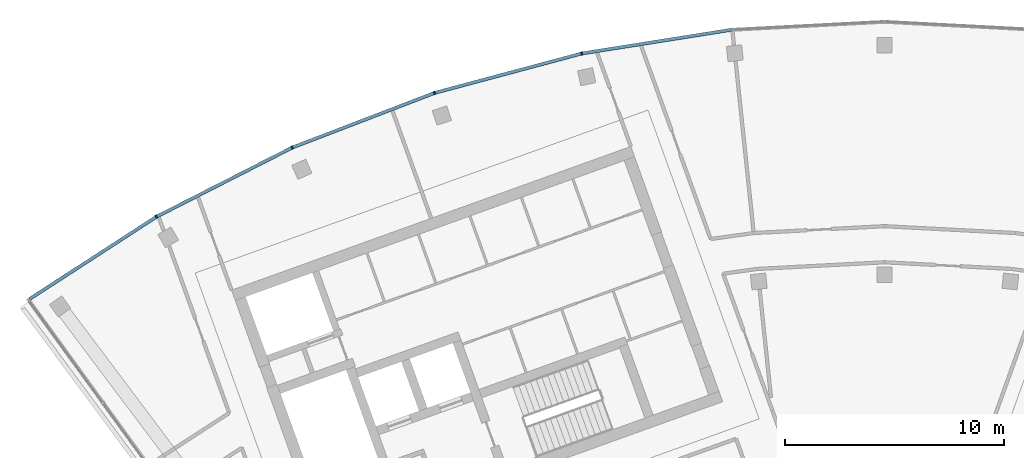
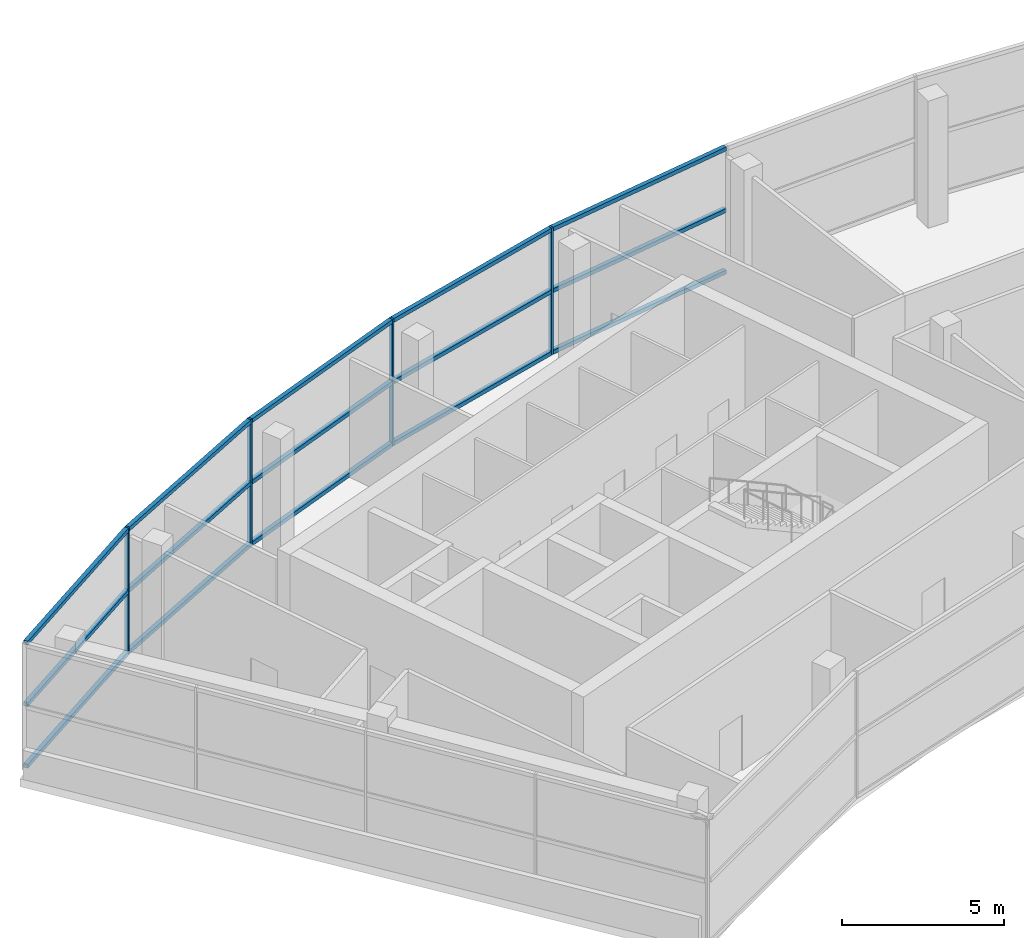
# One storey, part 3 of 13: 19 members, 1 element without a shape of its own.
"""IFC4 building model written with IfcOpenShell, lengths in metres."""

from ifc_helpers import new_model, si_unit, direction, frame, origin, origin_2d, place, context, subcontext, project, spatial, rectangle, extrude, material, layer, layer_set, material_profile, profile_set, type_object, element, aggregate, save


model = new_model("IFC4")

# Units and contexts
model_context = context("Model", 3, precision=1e-05, world=origin(), true_north=direction((0.0, 1.0)))
body_context = subcontext(model_context, "Body", "Model", "MODEL_VIEW")
ifc_project = project(units=[si_unit("LENGTHUNIT", "METRE"), si_unit("AREAUNIT", "SQUARE_METRE"), si_unit("VOLUMEUNIT", "CUBIC_METRE"), si_unit("PLANEANGLEUNIT", "RADIAN"), si_unit("MASSUNIT", "GRAM", prefix="KILO")], contexts=[model_context])

# Site, building, storey
site_placement = place(None, origin())
site = spatial("IfcSite", under=ifc_project, at=site_placement, CompositionType="ELEMENT")
building_placement = place(site_placement, origin())
building = spatial("IfcBuilding", under=site, at=building_placement, Name="Stone Belt Terrace Tower", CompositionType="ELEMENT")
storey_placement = place(building_placement, frame((0.0, 0.0, 332.60009765625)))
storey = spatial("IfcBuildingStorey", under=building, at=storey_placement, Name="L79", CompositionType="ELEMENT", Elevation=332.60009765625)

# Curtain wall, members
ifc_material = material(Name="Aluminium 6063-T6 anodised frame", Category="aluminium")
ifc_layer = layer(ifc_material, 0.14990234375)
ifc_layer_set = layer_set([ifc_layer], Name="CW-F observation floor curtain wall")
curtain_wall_type = type_object("IfcCurtainWallType", Name="CW-F observation floor curtain wall", PredefinedType="NOTDEFINED", material=ifc_layer_set)
curtain_wall_placement = place(storey_placement, origin())
curtain_wall = element("IfcCurtainWall", 1, at=curtain_wall_placement, inside=storey, type_object=curtain_wall_type, Name="CW-F convex face L79", PredefinedType="NOTDEFINED")
ifc_material_profile_1 = material_profile(ifc_material, rectangle(XDim=0.14990234375, YDim=0.070068359375, at=origin_2d()), Name="Aluminium 6063-T6 70x150")
ifc_profile_set_1 = profile_set([ifc_material_profile_1], Name="Aluminium 6063-T6 anodised frame")
member_type_1 = type_object("IfcMemberType", Name="CW-F mullion 70 x 150", PredefinedType="MULLION", material=ifc_profile_set_1)
member_1_placement = place(storey_placement, frame((-13.841796875, 65.120361328125, 0.0), z_axis=(0.0, 0.0, 1.0), x_axis=(0.207911690818, -0.978147600734, 0.0)))
member_1 = element("IfcMember", 2, at=member_1_placement, type_object=member_type_1, Name="CW-F mullion 9", PredefinedType="MULLION", context=body_context, shape_type="SweptSolid", body=[
    extrude(rectangle(XDim=0.14990234375, YDim=0.070068359375, at=origin_2d()), origin(), (0.0, 0.0, 1.0), 4.7998046875),
])
member_2_placement = place(storey_placement, frame((-20.57275390625, 63.316650390625, 0.0), z_axis=(0.0, 0.0, 1.0), x_axis=(0.309016994375, -0.951056516295, 0.0)))
member_2 = element("IfcMember", 3, at=member_2_placement, type_object=member_type_1, Name="CW-F mullion 10", PredefinedType="MULLION", context=body_context, shape_type="SweptSolid", body=[
    extrude(rectangle(XDim=0.14990234375, YDim=0.070068359375, at=origin_2d()), origin(), (0.0, 0.0, 1.0), 4.7998046875),
])
member_3_placement = place(storey_placement, frame((-27.07861328125, 60.8193359375, 0.0), z_axis=(0.0, 0.0, 1.0), x_axis=(0.406736643076, -0.913545457643, 0.0)))
member_3 = element("IfcMember", 4, at=member_3_placement, type_object=member_type_1, Name="CW-F mullion 11", PredefinedType="MULLION", context=body_context, shape_type="SweptSolid", body=[
    extrude(rectangle(XDim=0.14990234375, YDim=0.070068359375, at=origin_2d()), origin(), (0.0, 0.0, 1.0), 4.7998046875),
])
member_4_placement = place(storey_placement, frame((-33.28759765625, 57.65576171875, 0.0), z_axis=(0.0, 0.0, 1.0), x_axis=(0.499773559824, -0.866156099615, 0.0)))
member_4 = element("IfcMember", 5, at=member_4_placement, type_object=member_type_1, Name="CW-F mullion 12", PredefinedType="MULLION", context=body_context, shape_type="SweptSolid", body=[
    extrude(rectangle(XDim=0.14990234375, YDim=0.070068359375, at=origin_2d()), origin(), (0.0, 0.0, 1.0), 4.7998046875),
])
ifc_material_profile_2 = material_profile(ifc_material, rectangle(XDim=0.14990234375, YDim=0.14990234375, at=origin_2d()), Name="Aluminium 6063-T6 150x150")
ifc_profile_set_2 = profile_set([ifc_material_profile_2], Name="Aluminium 6063-T6 anodised frame")
member_type_2 = type_object("IfcMemberType", Name="CW-F transom 150 x 150", PredefinedType="USERDEFINED", material=ifc_profile_set_2)
member_5_placement = place(storey_placement, frame((-6.997314453125, 66.204345703125, 0.074951171875), z_axis=(-0.987689890003, -0.156424682152, 0.0), x_axis=(0.156424682152, -0.987689890003, 0.0)))
member_5 = element("IfcMember", 6, at=member_5_placement, type_object=member_type_2, Name="CW-F transom 8.1", ObjectType="TRANSOM", PredefinedType="USERDEFINED", context=body_context, shape_type="SweptSolid", body=[
    extrude(rectangle(XDim=0.14990234375, YDim=0.14990234375, at=origin_2d()), origin(), (0.0, 0.0, 1.0), 6.890625),
])
member_6_placement = place(storey_placement, frame((-6.997314453125, 66.204345703125, 2.39990234375), z_axis=(-0.987689890003, -0.156424682152, 0.0), x_axis=(0.156424682152, -0.987689890003, 0.0)))
member_6 = element("IfcMember", 7, at=member_6_placement, type_object=member_type_2, Name="CW-F transom 8.2", ObjectType="TRANSOM", PredefinedType="USERDEFINED", context=body_context, shape_type="SweptSolid", body=[
    extrude(rectangle(XDim=0.14990234375, YDim=0.14990234375, at=origin_2d()), origin(), (0.0, 0.0, 1.0), 6.890625),
])
member_7_placement = place(storey_placement, frame((-6.997314453125, 66.204345703125, 4.724853515625), z_axis=(-0.987689890003, -0.156424682152, 0.0), x_axis=(0.156424682152, -0.987689890003, 0.0)))
member_7 = element("IfcMember", 8, at=member_7_placement, type_object=member_type_2, Name="CW-F transom 8.3", ObjectType="TRANSOM", PredefinedType="USERDEFINED", context=body_context, shape_type="SweptSolid", body=[
    extrude(rectangle(XDim=0.14990234375, YDim=0.14990234375, at=origin_2d()), origin(), (0.0, 0.0, 1.0), 6.890625),
])
member_8_placement = place(storey_placement, frame((-13.87939453125, 65.110107421875, 0.074951171875), z_axis=(-0.965926701698, -0.258815778011, 0.0), x_axis=(0.258815778011, -0.965926701698, 0.0)))
member_8 = element("IfcMember", 9, at=member_8_placement, type_object=member_type_2, Name="CW-F transom 9.1", ObjectType="TRANSOM", PredefinedType="USERDEFINED", context=body_context, shape_type="SweptSolid", body=[
    extrude(rectangle(XDim=0.14990234375, YDim=0.14990234375, at=origin_2d()), origin(), (0.0, 0.0, 1.0), 6.890869140625),
])
member_9_placement = place(storey_placement, frame((-13.87939453125, 65.110107421875, 2.39990234375), z_axis=(-0.965926701698, -0.258815778011, 0.0), x_axis=(0.258815778011, -0.965926701698, 0.0)))
member_9 = element("IfcMember", 10, at=member_9_placement, type_object=member_type_2, Name="CW-F transom 9.2", ObjectType="TRANSOM", PredefinedType="USERDEFINED", context=body_context, shape_type="SweptSolid", body=[
    extrude(rectangle(XDim=0.14990234375, YDim=0.14990234375, at=origin_2d()), origin(), (0.0, 0.0, 1.0), 6.890869140625),
])
member_10_placement = place(storey_placement, frame((-13.87939453125, 65.110107421875, 4.724853515625), z_axis=(-0.965926701698, -0.258815778011, 0.0), x_axis=(0.258815778011, -0.965926701698, 0.0)))
member_10 = element("IfcMember", 11, at=member_10_placement, type_object=member_type_2, Name="CW-F transom 9.3", ObjectType="TRANSOM", PredefinedType="USERDEFINED", context=body_context, shape_type="SweptSolid", body=[
    extrude(rectangle(XDim=0.14990234375, YDim=0.14990234375, at=origin_2d()), origin(), (0.0, 0.0, 1.0), 6.890869140625),
])
member_11_placement = place(storey_placement, frame((-20.609130859375, 63.302734375, 0.074951171875), z_axis=(-0.933578261099, -0.358373590551, 0.0), x_axis=(0.358373590551, -0.933578261099, 0.0)))
member_11 = element("IfcMember", 12, at=member_11_placement, type_object=member_type_2, Name="CW-F transom 10.1", ObjectType="TRANSOM", PredefinedType="USERDEFINED", context=body_context, shape_type="SweptSolid", body=[
    extrude(rectangle(XDim=0.14990234375, YDim=0.14990234375, at=origin_2d()), origin(), (0.0, 0.0, 1.0), 6.890869140625),
])
member_12_placement = place(storey_placement, frame((-20.609130859375, 63.302734375, 2.39990234375), z_axis=(-0.933578261099, -0.358373590551, 0.0), x_axis=(0.358373590551, -0.933578261099, 0.0)))
member_12 = element("IfcMember", 13, at=member_12_placement, type_object=member_type_2, Name="CW-F transom 10.2", ObjectType="TRANSOM", PredefinedType="USERDEFINED", context=body_context, shape_type="SweptSolid", body=[
    extrude(rectangle(XDim=0.14990234375, YDim=0.14990234375, at=origin_2d()), origin(), (0.0, 0.0, 1.0), 6.890869140625),
])
member_13_placement = place(storey_placement, frame((-20.609130859375, 63.302734375, 4.724853515625), z_axis=(-0.933578261099, -0.358373590551, 0.0), x_axis=(0.358373590551, -0.933578261099, 0.0)))
member_13 = element("IfcMember", 14, at=member_13_placement, type_object=member_type_2, Name="CW-F transom 10.3", ObjectType="TRANSOM", PredefinedType="USERDEFINED", context=body_context, shape_type="SweptSolid", body=[
    extrude(rectangle(XDim=0.14990234375, YDim=0.14990234375, at=origin_2d()), origin(), (0.0, 0.0, 1.0), 6.890869140625),
])
member_14_placement = place(storey_placement, frame((-27.11328125, 60.8017578125, 0.074951171875), z_axis=(-0.891000017498, -0.454003269613, 0.0), x_axis=(0.454003269613, -0.891000017498, 0.0)))
member_14 = element("IfcMember", 15, at=member_14_placement, type_object=member_type_2, Name="CW-F transom 11.1", ObjectType="TRANSOM", PredefinedType="USERDEFINED", context=body_context, shape_type="SweptSolid", body=[
    extrude(rectangle(XDim=0.14990234375, YDim=0.14990234375, at=origin_2d()), origin(), (0.0, 0.0, 1.0), 6.890625),
])
member_15_placement = place(storey_placement, frame((-27.11328125, 60.8017578125, 2.39990234375), z_axis=(-0.891000017498, -0.454003269613, 0.0), x_axis=(0.454003269613, -0.891000017498, 0.0)))
member_15 = element("IfcMember", 16, at=member_15_placement, type_object=member_type_2, Name="CW-F transom 11.2", ObjectType="TRANSOM", PredefinedType="USERDEFINED", context=body_context, shape_type="SweptSolid", body=[
    extrude(rectangle(XDim=0.14990234375, YDim=0.14990234375, at=origin_2d()), origin(), (0.0, 0.0, 1.0), 6.890625),
])
member_16_placement = place(storey_placement, frame((-27.11328125, 60.8017578125, 4.724853515625), z_axis=(-0.891000017498, -0.454003269613, 0.0), x_axis=(0.454003269613, -0.891000017498, 0.0)))
member_16 = element("IfcMember", 17, at=member_16_placement, type_object=member_type_2, Name="CW-F transom 11.3", ObjectType="TRANSOM", PredefinedType="USERDEFINED", context=body_context, shape_type="SweptSolid", body=[
    extrude(rectangle(XDim=0.14990234375, YDim=0.14990234375, at=origin_2d()), origin(), (0.0, 0.0, 1.0), 6.890625),
])
member_17_placement = place(storey_placement, frame((-33.320068359375, 57.634521484375, 0.074951171875), z_axis=(-0.838963044396, -0.544188395813, 0.0), x_axis=(0.544188395813, -0.838963044396, 0.0)))
member_17 = element("IfcMember", 18, at=member_17_placement, type_object=member_type_2, Name="CW-F transom 12.1", ObjectType="TRANSOM", PredefinedType="USERDEFINED", context=body_context, shape_type="SweptSolid", body=[
    extrude(rectangle(XDim=0.14990234375, YDim=0.14990234375, at=origin_2d()), origin(), (0.0, 0.0, 1.0), 6.85693359375),
])
member_18_placement = place(storey_placement, frame((-33.320068359375, 57.634521484375, 2.39990234375), z_axis=(-0.838963044396, -0.544188395813, 0.0), x_axis=(0.544188395813, -0.838963044396, 0.0)))
member_18 = element("IfcMember", 19, at=member_18_placement, type_object=member_type_2, Name="CW-F transom 12.2", ObjectType="TRANSOM", PredefinedType="USERDEFINED", context=body_context, shape_type="SweptSolid", body=[
    extrude(rectangle(XDim=0.14990234375, YDim=0.14990234375, at=origin_2d()), origin(), (0.0, 0.0, 1.0), 6.85693359375),
])
member_19_placement = place(storey_placement, frame((-33.320068359375, 57.634521484375, 4.724853515625), z_axis=(-0.838963044396, -0.544188395813, 0.0), x_axis=(0.544188395813, -0.838963044396, 0.0)))
member_19 = element("IfcMember", 20, at=member_19_placement, type_object=member_type_2, Name="CW-F transom 12.3", ObjectType="TRANSOM", PredefinedType="USERDEFINED", context=body_context, shape_type="SweptSolid", body=[
    extrude(rectangle(XDim=0.14990234375, YDim=0.14990234375, at=origin_2d()), origin(), (0.0, 0.0, 1.0), 6.85693359375),
])
aggregate(curtain_wall, [member_1, member_2, member_3, member_4, member_5, member_6, member_7, member_8, member_9, member_10, member_11, member_12, member_13, member_14, member_15, member_16, member_17, member_18, member_19])

save(model, "model.ifc")
